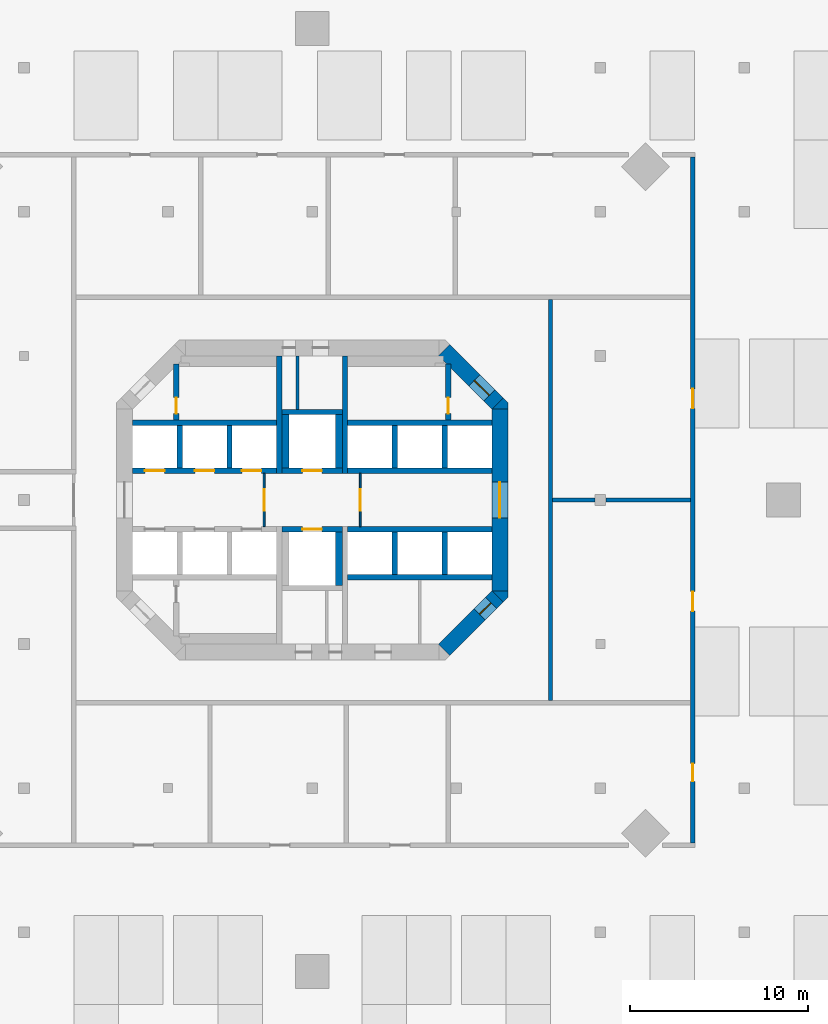
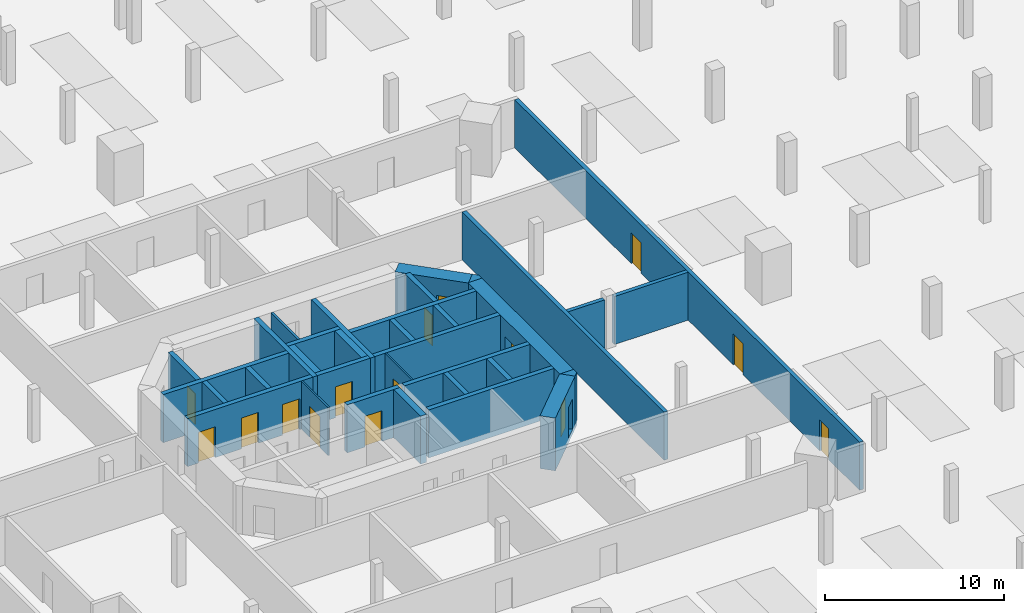
# One storey, part 6 of 14: 34 walls, 15 doors, 15 openings.
"""IFC4 building model written with IfcOpenShell, lengths in metres."""

from ifc_helpers import new_model, si_unit, direction, frame, frame_2d, origin, place, context, subcontext, project, spatial, polyline, rectangle, outline, extrude, material, layer, layer_set, type_object, element, fill, save


model = new_model("IFC4")

# Units and contexts
model_context = context("Model", 3, precision=1e-05, world=origin(), true_north=direction((0.0, 1.0)))
body_context = subcontext(model_context, "Body", "Model", "MODEL_VIEW")
ifc_project = project(units=[si_unit("LENGTHUNIT", "METRE"), si_unit("AREAUNIT", "SQUARE_METRE"), si_unit("VOLUMEUNIT", "CUBIC_METRE"), si_unit("PLANEANGLEUNIT", "RADIAN"), si_unit("MASSUNIT", "GRAM", prefix="KILO")], contexts=[model_context])

# Site, building, storey
site_placement = place(None, origin())
site = spatial("IfcSite", under=ifc_project, at=site_placement, CompositionType="ELEMENT")
building_placement = place(site_placement, origin())
building = spatial("IfcBuilding", under=site, at=building_placement, Name="Torre Triforio", CompositionType="ELEMENT")
storey_placement = place(building_placement, frame((0.0, 0.0, -7.199951171875)))
storey = spatial("IfcBuildingStorey", under=building, at=storey_placement, Name="B2", CompositionType="ELEMENT", Elevation=-7.199951171875)

# Walls
ifc_material_1 = material(Name="Concrete C60", Category="concrete")
ifc_layer_1 = layer(ifc_material_1, 0.300048828125)
ifc_layer_set_1 = layer_set([ifc_layer_1], Name="Concrete C60")
wall_type_1 = type_object("IfcWallType", Name="Core wall 300 mm C60 EI 120", PredefinedType="SHEAR", material=ifc_layer_set_1)
for number, where, z_axis, x_axis, name in (
    (1, (-1.85009765625, 1.5, 0.0), (0.0, 0.0, 1.0), (0.0, 1.0, 0.0), "Core wall"),
    (2, (1.85009765625, 1.5, 0.0), (0.0, 0.0, 1.0), (0.0, 1.0, 0.0), "Core wall"),
):
    element("IfcWall", number, at=place(storey_placement, frame(where, z_axis=z_axis, x_axis=x_axis)), inside=storey, type_object=wall_type_1, Name=name, PredefinedType="SHEAR", context=body_context, shape_type="SweptSolid", body=[
        extrude(rectangle(XDim=6.60009765625, YDim=0.300048828125, at=frame_2d((3.300048828125, 0.0))), origin(), (0.0, 0.0, 1.0), 3.280029296875),
    ])

# Wall, opening, door
ifc_layer_2 = layer(ifc_material_1, 0.89990234375)
ifc_layer_set_2 = layer_set([ifc_layer_2], Name="Concrete C60")
wall_type_2 = type_object("IfcWallType", Name="Core wall 900 mm C60 EI 120", PredefinedType="SHEAR", material=ifc_layer_set_2)
wall_1_placement = place(storey_placement, frame((10.550048828125, -5.1298828125, -0.320068359375), z_axis=(0.0, 0.0, 1.0), x_axis=(0.0, 1.0, 0.0)))
wall_1 = element("IfcWall", 3, at=wall_1_placement, inside=storey, type_object=wall_type_2, Name="Core wall", PredefinedType="SHEAR", context=body_context, shape_type="SweptSolid", body=[
    extrude(rectangle(XDim=10.259765625, YDim=0.89990234375, at=frame_2d((5.1298828125, 0.0))), origin(), (0.0, 0.0, 1.0), 3.60009765625),
])
opening_1_placement = place(wall_1_placement, frame((4.1298828125, 0.0, 0.320068359375)))
opening_1 = element("IfcOpeningElement", 4, at=opening_1_placement, cuts=wall_1, Name="Opening E-RING", PredefinedType="OPENING", context=body_context, shape_type="SweptSolid", body=[
    extrude(rectangle(XDim=2.0, YDim=2.10009765625, at=frame_2d((1.0, 1.050048828125))), frame((0.0, 0.4599609375, 0.0), z_axis=(0.0, -1.0, 0.0), x_axis=(1.0, 0.0, 0.0)), (0.0, 0.0, 1.0), 0.919921875),
])
ifc_material_2 = material(Name="Hollow metal fire door leaf")
door_type_1 = type_object("IfcDoorType", Name="Lobby door 2000 x 2100 EI 60", OperationType="DOUBLE_DOOR_SINGLE_SWING", PredefinedType="DOOR", material=ifc_material_2)
door_1_placement = place(opening_1_placement, origin())
door_1 = element("IfcDoor", 5, at=door_1_placement, inside=storey, type_object=door_type_1, Name="Core door E-RING", OperationType="DOUBLE_DOOR_SINGLE_SWING", OverallHeight=2.10009765625, OverallWidth=2.0, PredefinedType="DOOR", context=body_context, shape_type="SweptSolid", body=[
    extrude(rectangle(XDim=2.0, YDim=2.10009765625, at=frame_2d((1.0, 1.050048828125))), frame((0.0, 0.02490234375, 0.0), z_axis=(0.0, -1.0, 0.0), x_axis=(1.0, 0.0, 0.0)), (0.0, 0.0, 1.0), 0.050048828125),
])
fill(opening_1, door_1)

wall_2_placement = place(storey_placement, frame((7.418212890625, 8.418212890625, -0.320068359375), z_axis=(0.0, 0.0, 1.0), x_axis=(0.707106781187, -0.707106781187, 0.0)))
wall_2 = element("IfcWall", 6, at=wall_2_placement, inside=storey, type_object=wall_type_2, Name="Core wall", PredefinedType="SHEAR", context=body_context, shape_type="SweptSolid", body=[
    extrude(rectangle(XDim=4.24267578125, YDim=0.89990234375, at=frame_2d((2.121337890625, 0.0))), origin(), (0.0, 0.0, 1.0), 3.60009765625),
])
opening_2_placement = place(wall_2_placement, frame((2.392578125, 0.0, 0.320068359375)))
opening_2 = element("IfcOpeningElement", 7, at=opening_2_placement, cuts=wall_2, Name="Opening ST2-EXIT", PredefinedType="OPENING", context=body_context, shape_type="SweptSolid", body=[
    extrude(rectangle(XDim=1.199951171875, YDim=2.10009765625, at=frame_2d((0.60009765625, 1.050048828125))), frame((0.0, 0.4599609375, 0.0), z_axis=(0.0, -1.0, 0.0), x_axis=(1.0, 0.0, 0.0)), (0.0, 0.0, 1.0), 0.919921875),
])
door_type_2 = type_object("IfcDoorType", Name="Stair lobby door 1200 x 2100 EI 60", OperationType="NOTDEFINED", PredefinedType="DOOR", material=ifc_material_2)
door_2_placement = place(opening_2_placement, origin())
door_2 = element("IfcDoor", 8, at=door_2_placement, inside=storey, type_object=door_type_2, Name="Core door ST2-EXIT", OperationType="SINGLE_SWING_LEFT", OverallHeight=2.10009765625, OverallWidth=1.199951171875, PredefinedType="DOOR", context=body_context, shape_type="SweptSolid", body=[
    extrude(rectangle(XDim=1.199951171875, YDim=2.10009765625, at=frame_2d((0.60009765625, 1.050048828125))), frame((0.0, 0.02490234375, 0.0), z_axis=(0.0, -1.0, 0.0), x_axis=(1.0, 0.0, 0.0)), (0.0, 0.0, 1.0), 0.050048828125),
])
fill(opening_2, door_2)

wall_3_placement = place(storey_placement, frame((10.418212890625, -5.418212890625, -0.320068359375), z_axis=(0.0, 0.0, 1.0), x_axis=(-0.707106781187, -0.707106781187, 0.0)))
wall_3 = element("IfcWall", 9, at=wall_3_placement, inside=storey, type_object=wall_type_2, Name="Core wall", PredefinedType="SHEAR", context=body_context, shape_type="SweptSolid", body=[
    extrude(rectangle(XDim=4.24267578125, YDim=0.89990234375, at=frame_2d((2.121337890625, 0.0))), origin(), (0.0, 0.0, 1.0), 3.60009765625),
])
opening_3_placement = place(wall_3_placement, frame((0.52001953125, 0.0, 0.320068359375)))
opening_3 = element("IfcOpeningElement", 10, at=opening_3_placement, cuts=wall_3, Name="Opening SE-02", PredefinedType="OPENING", context=body_context, shape_type="SweptSolid", body=[
    extrude(rectangle(XDim=0.89990234375, YDim=2.10009765625, at=frame_2d((0.449951171875, 1.050048828125))), frame((0.0, 0.4599609375, 0.0), z_axis=(0.0, -1.0, 0.0), x_axis=(1.0, 0.0, 0.0)), (0.0, 0.0, 1.0), 0.919921875),
])
door_type_3 = type_object("IfcDoorType", Name="Room door 900 x 2100 EI 60", OperationType="NOTDEFINED", PredefinedType="DOOR", material=ifc_material_2)
door_3_placement = place(opening_3_placement, origin())
door_3 = element("IfcDoor", 11, at=door_3_placement, inside=storey, type_object=door_type_3, Name="Core door SE-02", OperationType="SINGLE_SWING_LEFT", OverallHeight=2.10009765625, OverallWidth=0.89990234375, PredefinedType="DOOR", context=body_context, shape_type="SweptSolid", body=[
    extrude(rectangle(XDim=0.89990234375, YDim=2.10009765625, at=frame_2d((0.449951171875, 1.050048828125))), frame((0.0, 0.02490234375, 0.0), z_axis=(0.0, -1.0, 0.0), x_axis=(1.0, 0.0, 0.0)), (0.0, 0.0, 1.0), 0.050048828125),
])
fill(opening_3, door_3)

# Walls
wall_4_placement = place(storey_placement, frame((0.0, 0.0, -0.320068359375)))
element("IfcWall", 12, at=wall_4_placement, inside=storey, type_object=wall_type_2, Name="Core wall", PredefinedType="SHEAR", context=body_context, shape_type="SweptSolid", body=[
    extrude(outline(polyline([(11.0, -5.472900390625), (10.736328125, -5.736328125), (10.1298828125, -5.1298828125), (11.0, -5.1298828125), (11.0, -5.472900390625)])), origin(), (0.0, 0.0, 1.0), 3.60009765625),
])
wall_5_placement = place(storey_placement, frame((0.0, 0.0, -0.320068359375)))
element("IfcWall", 13, at=wall_5_placement, inside=storey, type_object=wall_type_2, Name="Core wall", PredefinedType="SHEAR", context=body_context, shape_type="SweptSolid", body=[
    extrude(outline(polyline([(11.0, 5.472900390625), (11.0, 5.1298828125), (10.1298828125, 5.1298828125), (10.736328125, 5.736328125), (11.0, 5.472900390625)])), origin(), (0.0, 0.0, 1.0), 3.60009765625),
])

# Wall, opening, door
ifc_material_3 = material(Name="Block and board partition")
ifc_layer_3 = layer(ifc_material_3, 0.10009765625)
ifc_layer_set_3 = layer_set([ifc_layer_3], Name="Block and board partition")
wall_type_3 = type_object("IfcWallType", Name="Partition 100 mm EI 120", PredefinedType="PARTITIONING", material=ifc_layer_set_3)
wall_6_placement = place(storey_placement, frame((-2.699951171875, -1.5, 0.0), z_axis=(0.0, 0.0, 1.0), x_axis=(0.0, 1.0, 0.0)))
wall_6 = element("IfcWall", 14, at=wall_6_placement, inside=storey, type_object=wall_type_3, Name="Partition", PredefinedType="PARTITIONING", context=body_context, shape_type="SweptSolid", body=[
    extrude(rectangle(XDim=3.0, YDim=0.10009765625, at=frame_2d((1.5, 0.0))), origin(), (0.0, 0.0, 1.0), 3.280029296875),
])
opening_4_placement = place(wall_6_placement, frame((0.89990234375, 0.0, 0.0)))
opening_4 = element("IfcOpeningElement", 15, at=opening_4_placement, cuts=wall_6, Name="Opening FF-W", PredefinedType="OPENING", context=body_context, shape_type="SweptSolid", body=[
    extrude(rectangle(XDim=1.199951171875, YDim=2.10009765625, at=frame_2d((0.60009765625, 1.050048828125))), frame((0.0, 0.06005859375, 0.0), z_axis=(0.0, -1.0, 0.0), x_axis=(1.0, 0.0, 0.0)), (0.0, 0.0, 1.0), 0.1201171875),
])
door_type_4 = type_object("IfcDoorType", Name="Fire-fighting lobby door 1200 x 2100 EI 60", OperationType="NOTDEFINED", PredefinedType="DOOR", material=ifc_material_2)
door_4_placement = place(opening_4_placement, origin())
door_4 = element("IfcDoor", 16, at=door_4_placement, inside=storey, type_object=door_type_4, Name="Core door FF-W", OperationType="SINGLE_SWING_RIGHT", OverallHeight=2.10009765625, OverallWidth=1.199951171875, PredefinedType="DOOR", context=body_context, shape_type="SweptSolid", body=[
    extrude(rectangle(XDim=1.199951171875, YDim=2.10009765625, at=frame_2d((0.60009765625, 1.050048828125))), frame((0.0, 0.02490234375, 0.0), z_axis=(0.0, -1.0, 0.0), x_axis=(1.0, 0.0, 0.0)), (0.0, 0.0, 1.0), 0.050048828125),
])
fill(opening_4, door_4)

wall_7_placement = place(storey_placement, frame((2.699951171875, -1.5, 0.0), z_axis=(0.0, 0.0, 1.0), x_axis=(0.0, 1.0, 0.0)))
wall_7 = element("IfcWall", 17, at=wall_7_placement, inside=storey, type_object=wall_type_3, Name="Partition", PredefinedType="PARTITIONING", context=body_context, shape_type="SweptSolid", body=[
    extrude(rectangle(XDim=3.0, YDim=0.10009765625, at=frame_2d((1.5, 0.0))), origin(), (0.0, 0.0, 1.0), 3.280029296875),
])
opening_5_placement = place(wall_7_placement, frame((0.89990234375, 0.0, 0.0)))
opening_5 = element("IfcOpeningElement", 18, at=opening_5_placement, cuts=wall_7, Name="Opening FF-E", PredefinedType="OPENING", context=body_context, shape_type="SweptSolid", body=[
    extrude(rectangle(XDim=1.199951171875, YDim=2.10009765625, at=frame_2d((0.60009765625, 1.050048828125))), frame((0.0, 0.06005859375, 0.0), z_axis=(0.0, -1.0, 0.0), x_axis=(1.0, 0.0, 0.0)), (0.0, 0.0, 1.0), 0.1201171875),
])
door_5_placement = place(opening_5_placement, origin())
door_5 = element("IfcDoor", 19, at=door_5_placement, inside=storey, type_object=door_type_4, Name="Core door FF-E", OperationType="SINGLE_SWING_LEFT", OverallHeight=2.10009765625, OverallWidth=1.199951171875, PredefinedType="DOOR", context=body_context, shape_type="SweptSolid", body=[
    extrude(rectangle(XDim=1.199951171875, YDim=2.10009765625, at=frame_2d((0.60009765625, 1.050048828125))), frame((0.0, 0.02490234375, 0.0), z_axis=(0.0, -1.0, 0.0), x_axis=(1.0, 0.0, 0.0)), (0.0, 0.0, 1.0), 0.050048828125),
])
fill(opening_5, door_5)

# Walls
ifc_layer_4 = layer(ifc_material_3, 0.14990234375)
ifc_layer_set_4 = layer_set([ifc_layer_4], Name="Block and board partition")
wall_type_4 = type_object("IfcWallType", Name="Partition 150 mm EI 120", PredefinedType="PARTITIONING", material=ifc_layer_set_4)
wall_8_placement = place(storey_placement, frame((-0.824951171875, 5.10009765625, 0.0), z_axis=(0.0, 0.0, 1.0), x_axis=(0.0, 1.0, 0.0)))
element("IfcWall", 20, at=wall_8_placement, inside=storey, type_object=wall_type_4, Name="Partition", PredefinedType="PARTITIONING", context=body_context, shape_type="SweptSolid", body=[
    extrude(rectangle(XDim=3.0, YDim=0.14990234375, at=frame_2d((1.5, 0.0))), origin(), (0.0, 0.0, 1.0), 3.280029296875),
])
ifc_material_4 = material(Name="Masonry block", Category="masonry")
ifc_layer_5 = layer(ifc_material_4, 0.25)
ifc_layer_set_5 = layer_set([ifc_layer_5], Name="Masonry block")
wall_type_5 = type_object("IfcWallType", Name="Plant room wall 250 EI 120", PredefinedType="PARTITIONING", material=ifc_layer_set_5)
wall_9_placement = place(storey_placement, frame((13.52490234375, 0.0, 0.0), z_axis=(0.0, 0.0, 1.0), x_axis=(1.0, 0.0, 0.0)))
element("IfcWall", 21, at=wall_9_placement, inside=storey, type_object=wall_type_5, Name="Plant room wall B2 017", PredefinedType="PARTITIONING", context=body_context, shape_type="SweptSolid", body=[
    extrude(rectangle(XDim=2.364990234375, YDim=0.25, at=frame_2d((1.1826171875, 0.0))), origin(), (0.0, 0.0, 1.0), 3.280029296875),
])
wall_10_placement = place(storey_placement, frame((16.510009765625, 0.0, 0.0), z_axis=(0.0, 0.0, 1.0), x_axis=(1.0, 0.0, 0.0)))
element("IfcWall", 22, at=wall_10_placement, inside=storey, type_object=wall_type_5, Name="Plant room wall B2 018", PredefinedType="PARTITIONING", context=body_context, shape_type="SweptSolid", body=[
    extrude(rectangle(XDim=4.764892578125, YDim=0.25, at=frame_2d((2.38232421875, 0.0))), origin(), (0.0, 0.0, 1.0), 3.280029296875),
])
wall_11_placement = place(storey_placement, frame((13.39990234375, -11.27490234375, 0.0), z_axis=(0.0, 0.0, 1.0), x_axis=(0.0, 1.0, 0.0)))
element("IfcWall", 23, at=wall_11_placement, inside=storey, type_object=wall_type_5, Name="Plant room wall B2 019", PredefinedType="PARTITIONING", context=body_context, shape_type="SweptSolid", body=[
    extrude(rectangle(XDim=22.5498046875, YDim=0.25, at=frame_2d((11.27490234375, 0.0))), origin(), (0.0, 0.0, 1.0), 3.280029296875),
])

# Wall, openings, doors
wall_12_placement = place(storey_placement, frame((21.39990234375, -19.27490234375, 0.0), z_axis=(0.0, 0.0, 1.0), x_axis=(0.0, 1.0, 0.0)))
wall_12 = element("IfcWall", 24, at=wall_12_placement, inside=storey, type_object=wall_type_5, Name="Plant room wall B2 031", PredefinedType="PARTITIONING", context=body_context, shape_type="SweptSolid", body=[
    extrude(rectangle(XDim=38.5498046875, YDim=0.25, at=frame_2d((19.27490234375, 0.0))), origin(), (0.0, 0.0, 1.0), 3.280029296875),
])
opening_6_placement = place(wall_12_placement, frame((3.449951171875, 0.0, 0.0)))
opening_6 = element("IfcOpeningElement", 25, at=opening_6_placement, cuts=wall_12, Name="Opening BS2-12", PredefinedType="OPENING", context=body_context, shape_type="SweptSolid", body=[
    extrude(rectangle(XDim=1.0, YDim=2.10009765625, at=frame_2d((0.5, 1.050048828125))), frame((0.0, 0.135009765625, 0.0), z_axis=(0.0, -1.0, 0.0), x_axis=(1.0, 0.0, 0.0)), (0.0, 0.0, 1.0), 0.27001953125),
])
opening_7_placement = place(wall_12_placement, frame((13.02490234375, 0.0, 0.0)))
opening_7 = element("IfcOpeningElement", 26, at=opening_7_placement, cuts=wall_12, Name="Opening BS2-13", PredefinedType="OPENING", context=body_context, shape_type="SweptSolid", body=[
    extrude(rectangle(XDim=1.10009765625, YDim=2.10009765625, at=frame_2d((0.550048828125, 1.050048828125))), frame((0.0, 0.135009765625, 0.0), z_axis=(0.0, -1.0, 0.0), x_axis=(1.0, 0.0, 0.0)), (0.0, 0.0, 1.0), 0.27001953125),
])
opening_8_placement = place(wall_12_placement, frame((24.425048828125, 0.0, 0.0)))
opening_8 = element("IfcOpeningElement", 27, at=opening_8_placement, cuts=wall_12, Name="Opening BS2-14", PredefinedType="OPENING", context=body_context, shape_type="SweptSolid", body=[
    extrude(rectangle(XDim=1.10009765625, YDim=2.10009765625, at=frame_2d((0.550048828125, 1.050048828125))), frame((0.0, 0.135009765625, 0.0), z_axis=(0.0, -1.0, 0.0), x_axis=(1.0, 0.0, 0.0)), (0.0, 0.0, 1.0), 0.27001953125),
])
door_type_5 = type_object("IfcDoorType", Name="Fire door 1000 x 2100 EI 60", OperationType="NOTDEFINED", PredefinedType="DOOR", material=ifc_material_2)
door_6_placement = place(opening_6_placement, origin())
door_6 = element("IfcDoor", 28, at=door_6_placement, inside=storey, type_object=door_type_5, Name="Door BS2-12", OperationType="SINGLE_SWING_LEFT", OverallHeight=2.10009765625, OverallWidth=1.0, PredefinedType="DOOR", context=body_context, shape_type="SweptSolid", body=[
    extrude(rectangle(XDim=1.0, YDim=2.10009765625, at=frame_2d((0.5, 1.050048828125))), frame((0.0, 0.02490234375, 0.0), z_axis=(0.0, -1.0, 0.0), x_axis=(1.0, 0.0, 0.0)), (0.0, 0.0, 1.0), 0.050048828125),
])
fill(opening_6, door_6)
door_type_6 = type_object("IfcDoorType", Name="Plant room door 1100 x 2100 EI 60", OperationType="NOTDEFINED", PredefinedType="DOOR", material=ifc_material_2)
door_7_placement = place(opening_7_placement, origin())
door_7 = element("IfcDoor", 29, at=door_7_placement, inside=storey, type_object=door_type_6, Name="Door BS2-13", OperationType="SINGLE_SWING_LEFT", OverallHeight=2.10009765625, OverallWidth=1.10009765625, PredefinedType="DOOR", context=body_context, shape_type="SweptSolid", body=[
    extrude(rectangle(XDim=1.10009765625, YDim=2.10009765625, at=frame_2d((0.550048828125, 1.050048828125))), frame((0.0, 0.02490234375, 0.0), z_axis=(0.0, -1.0, 0.0), x_axis=(1.0, 0.0, 0.0)), (0.0, 0.0, 1.0), 0.050048828125),
])
fill(opening_7, door_7)
door_8_placement = place(opening_8_placement, origin())
door_8 = element("IfcDoor", 30, at=door_8_placement, inside=storey, type_object=door_type_6, Name="Door BS2-14", OperationType="SINGLE_SWING_LEFT", OverallHeight=2.10009765625, OverallWidth=1.10009765625, PredefinedType="DOOR", context=body_context, shape_type="SweptSolid", body=[
    extrude(rectangle(XDim=1.10009765625, YDim=2.10009765625, at=frame_2d((0.550048828125, 1.050048828125))), frame((0.0, 0.02490234375, 0.0), z_axis=(0.0, -1.0, 0.0), x_axis=(1.0, 0.0, 0.0)), (0.0, 0.0, 1.0), 0.050048828125),
])
fill(opening_8, door_8)

# Walls
ifc_layer_6 = layer(ifc_material_1, 0.300048828125)
ifc_layer_set_6 = layer_set([ifc_layer_6], Name="Concrete C60")
wall_type_6 = type_object("IfcWallType", Name="Shaft wall 300 mm C60 EI 120", PredefinedType="SOLIDWALL", material=ifc_layer_set_6)
for number, where, z_axis, x_axis, name in (
    (31, (-10.10009765625, 4.35009765625, 0.0), (0.0, 0.0, 1.0), (1.0, 0.0, 0.0), "Shaft wall"),
    (32, (2.0, 4.35009765625, 0.0), (0.0, 0.0, 1.0), (1.0, 0.0, 0.0), "Shaft wall"),
    (33, (2.0, -4.35009765625, 0.0), (0.0, 0.0, 1.0), (1.0, 0.0, 0.0), "Shaft wall"),
):
    element("IfcWall", number, at=place(storey_placement, frame(where, z_axis=z_axis, x_axis=x_axis)), inside=storey, type_object=wall_type_6, Name=name, PredefinedType="SOLIDWALL", context=body_context, shape_type="SweptSolid", body=[
        extrude(rectangle(XDim=8.10009765625, YDim=0.300048828125, at=frame_2d((4.050048828125, 0.0))), origin(), (0.0, 0.0, 1.0), 3.280029296875),
    ])

# Wall, openings, doors
wall_13_placement = place(storey_placement, frame((-10.10009765625, 1.64990234375, 0.0), z_axis=(0.0, 0.0, 1.0), x_axis=(1.0, 0.0, 0.0)))
wall_13 = element("IfcWall", 34, at=wall_13_placement, inside=storey, type_object=wall_type_6, Name="Shaft wall", PredefinedType="SOLIDWALL", context=body_context, shape_type="SweptSolid", body=[
    extrude(rectangle(XDim=8.10009765625, YDim=0.300048828125, at=frame_2d((4.050048828125, 0.0))), origin(), (0.0, 0.0, 1.0), 3.280029296875),
])
opening_9_placement = place(wall_13_placement, frame((0.699951171875, 0.0, 0.0)))
opening_9 = element("IfcOpeningElement", 35, at=opening_9_placement, cuts=wall_13, Name="Opening LD", PredefinedType="OPENING", context=body_context, shape_type="SweptSolid", body=[
    extrude(rectangle(XDim=1.10009765625, YDim=2.10009765625, at=frame_2d((0.550048828125, 1.050048828125))), frame((0.0, 0.159912109375, 0.0), z_axis=(0.0, -1.0, 0.0), x_axis=(1.0, 0.0, 0.0)), (0.0, 0.0, 1.0), 0.320068359375),
])
opening_10_placement = place(wall_13_placement, frame((3.5, 0.0, 0.0)))
opening_10 = element("IfcOpeningElement", 36, at=opening_10_placement, cuts=wall_13, Name="Opening LD", PredefinedType="OPENING", context=body_context, shape_type="SweptSolid", body=[
    extrude(rectangle(XDim=1.10009765625, YDim=2.10009765625, at=frame_2d((0.550048828125, 1.050048828125))), frame((0.0, 0.159912109375, 0.0), z_axis=(0.0, -1.0, 0.0), x_axis=(1.0, 0.0, 0.0)), (0.0, 0.0, 1.0), 0.320068359375),
])
opening_11_placement = place(wall_13_placement, frame((6.14990234375, 0.0, 0.0)))
opening_11 = element("IfcOpeningElement", 37, at=opening_11_placement, cuts=wall_13, Name="Opening LD", PredefinedType="OPENING", context=body_context, shape_type="SweptSolid", body=[
    extrude(rectangle(XDim=1.10009765625, YDim=2.10009765625, at=frame_2d((0.550048828125, 1.050048828125))), frame((0.0, 0.159912109375, 0.0), z_axis=(0.0, -1.0, 0.0), x_axis=(1.0, 0.0, 0.0)), (0.0, 0.0, 1.0), 0.320068359375),
])
door_type_7 = type_object("IfcDoorType", Name="Landing door 1100 x 2100 EI 60", OperationType="DOUBLE_DOOR_SLIDING", PredefinedType="DOOR", material=ifc_material_2)
door_9_placement = place(opening_9_placement, origin())
door_9 = element("IfcDoor", 38, at=door_9_placement, inside=storey, type_object=door_type_7, Name="Landing door LR1", OperationType="DOUBLE_DOOR_SLIDING", OverallHeight=2.10009765625, OverallWidth=1.10009765625, PredefinedType="DOOR", context=body_context, shape_type="SweptSolid", body=[
    extrude(rectangle(XDim=1.10009765625, YDim=2.10009765625, at=frame_2d((0.550048828125, 1.050048828125))), frame((0.0, 0.02490234375, 0.0), z_axis=(0.0, -1.0, 0.0), x_axis=(1.0, 0.0, 0.0)), (0.0, 0.0, 1.0), 0.050048828125),
])
fill(opening_9, door_9)
door_10_placement = place(opening_10_placement, origin())
door_10 = element("IfcDoor", 39, at=door_10_placement, inside=storey, type_object=door_type_7, Name="Landing door LR2", OperationType="DOUBLE_DOOR_SLIDING", OverallHeight=2.10009765625, OverallWidth=1.10009765625, PredefinedType="DOOR", context=body_context, shape_type="SweptSolid", body=[
    extrude(rectangle(XDim=1.10009765625, YDim=2.10009765625, at=frame_2d((0.550048828125, 1.050048828125))), frame((0.0, 0.02490234375, 0.0), z_axis=(0.0, -1.0, 0.0), x_axis=(1.0, 0.0, 0.0)), (0.0, 0.0, 1.0), 0.050048828125),
])
fill(opening_10, door_10)
door_11_placement = place(opening_11_placement, origin())
door_11 = element("IfcDoor", 40, at=door_11_placement, inside=storey, type_object=door_type_7, Name="Landing door LR3", OperationType="DOUBLE_DOOR_SLIDING", OverallHeight=2.10009765625, OverallWidth=1.10009765625, PredefinedType="DOOR", context=body_context, shape_type="SweptSolid", body=[
    extrude(rectangle(XDim=1.10009765625, YDim=2.10009765625, at=frame_2d((0.550048828125, 1.050048828125))), frame((0.0, 0.02490234375, 0.0), z_axis=(0.0, -1.0, 0.0), x_axis=(1.0, 0.0, 0.0)), (0.0, 0.0, 1.0), 0.050048828125),
])
fill(opening_11, door_11)

# Walls
for number, where, z_axis, x_axis, name in (
    (41, (2.0, 1.64990234375, 0.0), (0.0, 0.0, 1.0), (1.0, 0.0, 0.0), "Shaft wall"),
    (42, (2.0, -1.64990234375, 0.0), (0.0, 0.0, 1.0), (1.0, 0.0, 0.0), "Shaft wall"),
):
    element("IfcWall", number, at=place(storey_placement, frame(where, z_axis=z_axis, x_axis=x_axis)), inside=storey, type_object=wall_type_6, Name=name, PredefinedType="SOLIDWALL", context=body_context, shape_type="SweptSolid", body=[
        extrude(rectangle(XDim=8.10009765625, YDim=0.300048828125, at=frame_2d((4.050048828125, 0.0))), origin(), (0.0, 0.0, 1.0), 3.280029296875),
    ])
for number, where, z_axis, x_axis, name in (
    (43, (-7.449951171875, 1.800048828125, 0.0), (0.0, 0.0, 1.0), (0.0, 1.0, 0.0), "Shaft wall"),
    (44, (-4.64990234375, 1.800048828125, 0.0), (0.0, 0.0, 1.0), (0.0, 1.0, 0.0), "Shaft wall"),
    (45, (4.64990234375, 1.800048828125, 0.0), (0.0, 0.0, 1.0), (0.0, 1.0, 0.0), "Shaft wall"),
    (46, (4.64990234375, -4.199951171875, 0.0), (0.0, 0.0, 1.0), (0.0, 1.0, 0.0), "Shaft wall"),
    (47, (7.449951171875, 1.800048828125, 0.0), (0.0, 0.0, 1.0), (0.0, 1.0, 0.0), "Shaft wall"),
    (48, (7.449951171875, -4.199951171875, 0.0), (0.0, 0.0, 1.0), (0.0, 1.0, 0.0), "Shaft wall"),
):
    element("IfcWall", number, at=place(storey_placement, frame(where, z_axis=z_axis, x_axis=x_axis)), inside=storey, type_object=wall_type_6, Name=name, PredefinedType="SOLIDWALL", context=body_context, shape_type="SweptSolid", body=[
        extrude(rectangle(XDim=2.39990234375, YDim=0.300048828125, at=frame_2d((1.199951171875, 0.0))), origin(), (0.0, 0.0, 1.0), 3.280029296875),
    ])

# Wall, opening, door
wall_14_placement = place(storey_placement, frame((-1.699951171875, 1.64990234375, 0.0), z_axis=(0.0, 0.0, 1.0), x_axis=(1.0, 0.0, 0.0)))
wall_14 = element("IfcWall", 49, at=wall_14_placement, inside=storey, type_object=wall_type_6, Name="Shaft wall", PredefinedType="SOLIDWALL", context=body_context, shape_type="SweptSolid", body=[
    extrude(rectangle(XDim=3.39990234375, YDim=0.300048828125, at=frame_2d((1.699951171875, 0.0))), origin(), (0.0, 0.0, 1.0), 3.280029296875),
])
opening_12_placement = place(wall_14_placement, frame((1.14990234375, 0.0, 0.0)))
opening_12 = element("IfcOpeningElement", 50, at=opening_12_placement, cuts=wall_14, Name="Opening LD", PredefinedType="OPENING", context=body_context, shape_type="SweptSolid", body=[
    extrude(rectangle(XDim=1.10009765625, YDim=2.10009765625, at=frame_2d((0.550048828125, 1.050048828125))), frame((0.0, 0.159912109375, 0.0), z_axis=(0.0, -1.0, 0.0), x_axis=(1.0, 0.0, 0.0)), (0.0, 0.0, 1.0), 0.320068359375),
])
door_12_placement = place(opening_12_placement, origin())
door_12 = element("IfcDoor", 51, at=door_12_placement, inside=storey, type_object=door_type_7, Name="Landing door FFL1", OperationType="DOUBLE_DOOR_SLIDING", OverallHeight=2.10009765625, OverallWidth=1.10009765625, PredefinedType="DOOR", context=body_context, shape_type="SweptSolid", body=[
    extrude(rectangle(XDim=1.10009765625, YDim=2.10009765625, at=frame_2d((0.550048828125, 1.050048828125))), frame((0.0, 0.02490234375, 0.0), z_axis=(0.0, -1.0, 0.0), x_axis=(1.0, 0.0, 0.0)), (0.0, 0.0, 1.0), 0.050048828125),
])
fill(opening_12, door_12)

wall_15_placement = place(storey_placement, frame((-1.699951171875, -1.64990234375, 0.0), z_axis=(0.0, 0.0, 1.0), x_axis=(1.0, 0.0, 0.0)))
wall_15 = element("IfcWall", 52, at=wall_15_placement, inside=storey, type_object=wall_type_6, Name="Shaft wall", PredefinedType="SOLIDWALL", context=body_context, shape_type="SweptSolid", body=[
    extrude(rectangle(XDim=3.39990234375, YDim=0.300048828125, at=frame_2d((1.699951171875, 0.0))), origin(), (0.0, 0.0, 1.0), 3.280029296875),
])
opening_13_placement = place(wall_15_placement, frame((1.14990234375, 0.0, 0.0)))
opening_13 = element("IfcOpeningElement", 53, at=opening_13_placement, cuts=wall_15, Name="Opening LD", PredefinedType="OPENING", context=body_context, shape_type="SweptSolid", body=[
    extrude(rectangle(XDim=1.10009765625, YDim=2.10009765625, at=frame_2d((0.550048828125, 1.050048828125))), frame((0.0, 0.159912109375, 0.0), z_axis=(0.0, -1.0, 0.0), x_axis=(1.0, 0.0, 0.0)), (0.0, 0.0, 1.0), 0.320068359375),
])
door_13_placement = place(opening_13_placement, origin())
door_13 = element("IfcDoor", 54, at=door_13_placement, inside=storey, type_object=door_type_7, Name="Landing door FFL2", OperationType="DOUBLE_DOOR_SLIDING", OverallHeight=2.10009765625, OverallWidth=1.10009765625, PredefinedType="DOOR", context=body_context, shape_type="SweptSolid", body=[
    extrude(rectangle(XDim=1.10009765625, YDim=2.10009765625, at=frame_2d((0.550048828125, 1.050048828125))), frame((0.0, 0.02490234375, 0.0), z_axis=(0.0, -1.0, 0.0), x_axis=(1.0, 0.0, 0.0)), (0.0, 0.0, 1.0), 0.050048828125),
])
fill(opening_13, door_13)

# Walls
wall_16_placement = place(storey_placement, frame((-1.699951171875, 4.949951171875, 0.0), z_axis=(0.0, 0.0, 1.0), x_axis=(1.0, 0.0, 0.0)))
element("IfcWall", 55, at=wall_16_placement, inside=storey, type_object=wall_type_6, Name="Shaft wall", PredefinedType="SOLIDWALL", context=body_context, shape_type="SweptSolid", body=[
    extrude(rectangle(XDim=3.39990234375, YDim=0.300048828125, at=frame_2d((1.699951171875, 0.0))), origin(), (0.0, 0.0, 1.0), 3.280029296875),
])
ifc_layer_7 = layer(ifc_material_1, 0.39990234375)
ifc_layer_set_7 = layer_set([ifc_layer_7], Name="Concrete C60")
wall_type_7 = type_object("IfcWallType", Name="Shaft wall 400 mm C60 EI 120", PredefinedType="SOLIDWALL", material=ifc_layer_set_7)
for number, where, z_axis, x_axis, name in (
    (56, (-1.5, 1.800048828125, 0.0), (0.0, 0.0, 1.0), (0.0, 1.0, 0.0), "Shaft wall"),
    (57, (1.5, 1.800048828125, 0.0), (0.0, 0.0, 1.0), (0.0, 1.0, 0.0), "Shaft wall"),
    (58, (1.5, -4.800048828125, 0.0), (0.0, 0.0, 1.0), (0.0, 1.0, 0.0), "Shaft wall"),
):
    element("IfcWall", number, at=place(storey_placement, frame(where, z_axis=z_axis, x_axis=x_axis)), inside=storey, type_object=wall_type_7, Name=name, PredefinedType="SOLIDWALL", context=body_context, shape_type="SweptSolid", body=[
        extrude(rectangle(XDim=3.0, YDim=0.39990234375, at=frame_2d((1.5, 0.0))), origin(), (0.0, 0.0, 1.0), 3.280029296875),
    ])

# Wall, opening, door
ifc_layer_8 = layer(ifc_material_1, 0.300048828125)
ifc_layer_set_8 = layer_set([ifc_layer_8], Name="Concrete C60")
wall_type_8 = type_object("IfcWallType", Name="Stair wall 300 mm C60 EI 120", PredefinedType="SHEAR", material=ifc_layer_set_8)
wall_17_placement = place(storey_placement, frame((-7.64990234375, 4.5, 0.0), z_axis=(0.0, 0.0, 1.0), x_axis=(0.0, 1.0, 0.0)))
wall_17 = element("IfcWall", 59, at=wall_17_placement, inside=storey, type_object=wall_type_8, Name="Stair wall", PredefinedType="SHEAR", context=body_context, shape_type="SweptSolid", body=[
    extrude(rectangle(XDim=3.139892578125, YDim=0.300048828125, at=frame_2d((1.56982421875, 0.0))), origin(), (0.0, 0.0, 1.0), 3.280029296875),
])
opening_14_placement = place(wall_17_placement, frame((0.35009765625, 0.0, 0.0)))
opening_14 = element("IfcOpeningElement", 60, at=opening_14_placement, cuts=wall_17, Name="Opening ST1-ST", PredefinedType="OPENING", context=body_context, shape_type="SweptSolid", body=[
    extrude(rectangle(XDim=0.89990234375, YDim=2.10009765625, at=frame_2d((0.449951171875, 1.050048828125))), frame((0.0, 0.159912109375, 0.0), z_axis=(0.0, -1.0, 0.0), x_axis=(1.0, 0.0, 0.0)), (0.0, 0.0, 1.0), 0.320068359375),
])
door_type_8 = type_object("IfcDoorType", Name="Fan room door 900 x 2100 EI 60", OperationType="NOTDEFINED", PredefinedType="DOOR", material=ifc_material_2)
door_14_placement = place(opening_14_placement, origin())
door_14 = element("IfcDoor", 61, at=door_14_placement, inside=storey, type_object=door_type_8, Name="Core door ST1-ST", OperationType="SINGLE_SWING_LEFT", OverallHeight=2.10009765625, OverallWidth=0.89990234375, PredefinedType="DOOR", context=body_context, shape_type="SweptSolid", body=[
    extrude(rectangle(XDim=0.89990234375, YDim=2.10009765625, at=frame_2d((0.449951171875, 1.050048828125))), frame((0.0, 0.02490234375, 0.0), z_axis=(0.0, -1.0, 0.0), x_axis=(1.0, 0.0, 0.0)), (0.0, 0.0, 1.0), 0.050048828125),
])
fill(opening_14, door_14)

wall_18_placement = place(storey_placement, frame((7.64990234375, 4.5, 0.0), z_axis=(0.0, 0.0, 1.0), x_axis=(0.0, 1.0, 0.0)))
wall_18 = element("IfcWall", 62, at=wall_18_placement, inside=storey, type_object=wall_type_8, Name="Stair wall", PredefinedType="SHEAR", context=body_context, shape_type="SweptSolid", body=[
    extrude(rectangle(XDim=3.139892578125, YDim=0.300048828125, at=frame_2d((1.56982421875, 0.0))), origin(), (0.0, 0.0, 1.0), 3.280029296875),
])
opening_15_placement = place(wall_18_placement, frame((0.35009765625, 0.0, 0.0)))
opening_15 = element("IfcOpeningElement", 63, at=opening_15_placement, cuts=wall_18, Name="Opening ST2-ST", PredefinedType="OPENING", context=body_context, shape_type="SweptSolid", body=[
    extrude(rectangle(XDim=0.89990234375, YDim=2.10009765625, at=frame_2d((0.449951171875, 1.050048828125))), frame((0.0, 0.159912109375, 0.0), z_axis=(0.0, -1.0, 0.0), x_axis=(1.0, 0.0, 0.0)), (0.0, 0.0, 1.0), 0.320068359375),
])
door_15_placement = place(opening_15_placement, origin())
door_15 = element("IfcDoor", 64, at=door_15_placement, inside=storey, type_object=door_type_8, Name="Core door ST2-ST", OperationType="SINGLE_SWING_RIGHT", OverallHeight=2.10009765625, OverallWidth=0.89990234375, PredefinedType="DOOR", context=body_context, shape_type="SweptSolid", body=[
    extrude(rectangle(XDim=0.89990234375, YDim=2.10009765625, at=frame_2d((0.449951171875, 1.050048828125))), frame((0.0, 0.02490234375, 0.0), z_axis=(0.0, -1.0, 0.0), x_axis=(1.0, 0.0, 0.0)), (0.0, 0.0, 1.0), 0.050048828125),
])
fill(opening_15, door_15)

save(model, "model.ifc")
